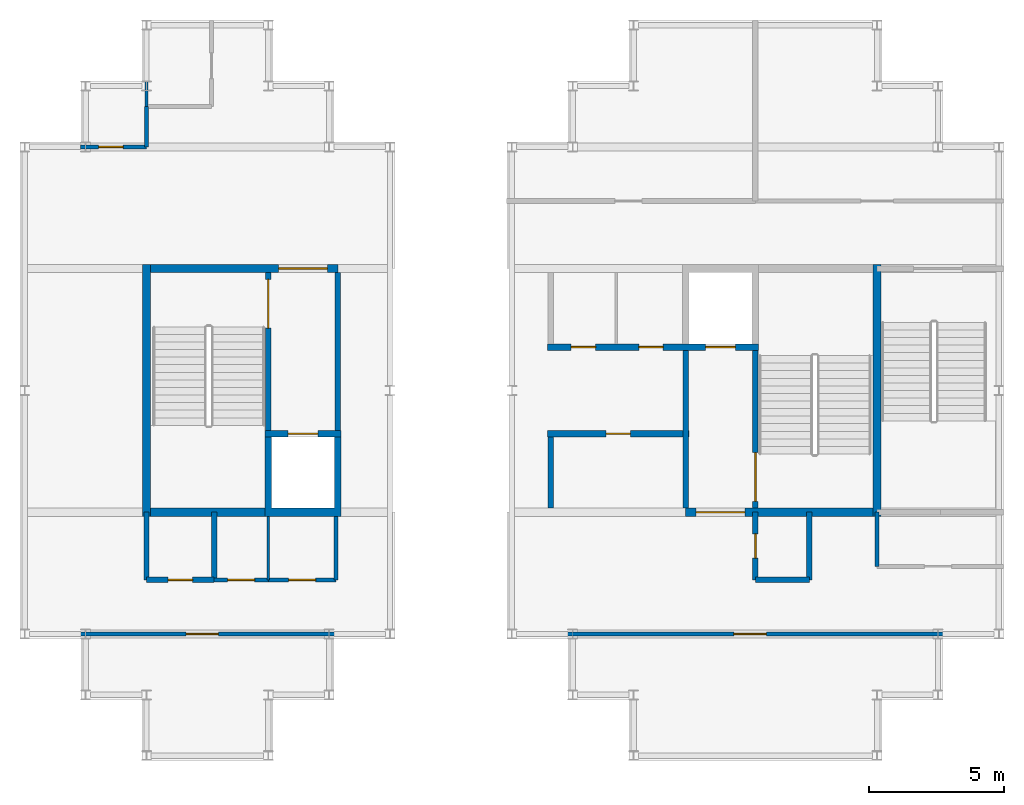
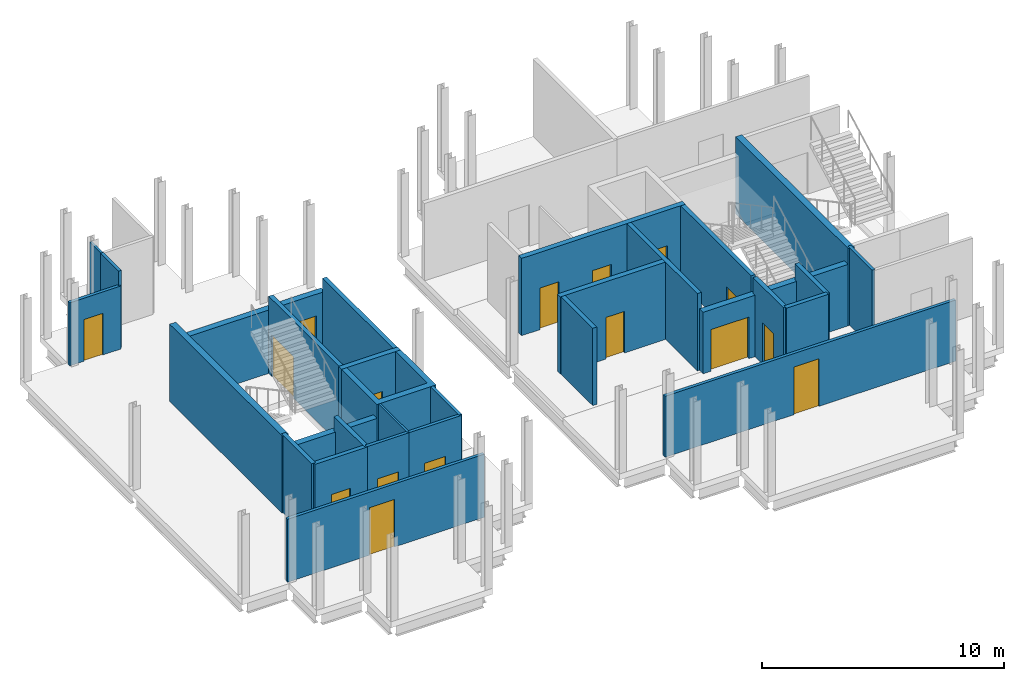
# One storey, part 2 of 7: 30 walls, 16 doors, 16 openings.
"""IFC4 building model written with IfcOpenShell, lengths in metres."""

from ifc_helpers import new_model, si_unit, direction, frame, frame_2d, origin, place, context, subcontext, project, spatial, polyline, rectangle, outline, extrude, material, layer, layer_set, type_object, element, fill, save


model = new_model("IFC4")

# Units and contexts
model_context = context("Model", 3, precision=1e-05, world=origin(), true_north=direction((0.0, 1.0)))
body_context = subcontext(model_context, "Body", "Model", "MODEL_VIEW")
ifc_project = project(units=[si_unit("LENGTHUNIT", "METRE"), si_unit("AREAUNIT", "SQUARE_METRE"), si_unit("VOLUMEUNIT", "CUBIC_METRE"), si_unit("PLANEANGLEUNIT", "RADIAN"), si_unit("MASSUNIT", "GRAM", prefix="KILO")], contexts=[model_context])

# Site, building, storey
site_placement = place(None, origin())
site = spatial("IfcSite", under=ifc_project, at=site_placement, CompositionType="ELEMENT")
building_placement = place(site_placement, origin())
building = spatial("IfcBuilding", under=site, at=building_placement, Name="Caravel Reach Hotel and Residences", CompositionType="ELEMENT")
storey_placement = place(building_placement, frame((0.0, 0.0, 317.0)))
storey = spatial("IfcBuildingStorey", under=building, at=storey_placement, Name="L80", CompositionType="ELEMENT", Elevation=317.0)

# Walls
ifc_material_1 = material(Name="Autoclaved aerated block wall")
ifc_layer_1 = layer(ifc_material_1, 0.199951171875)
ifc_layer_set_1 = layer_set([ifc_layer_1], Name="Compartment wall 200 mm EI 120")
wall_type_1 = type_object("IfcWallType", Name="Compartment wall 200 mm EI 120", PredefinedType="PARTITIONING", material=ifc_layer_set_1)
wall_1_placement = place(storey_placement, frame((32.935791015625, 22.64990234375, 0.0), z_axis=(0.0, 0.0, 1.0), x_axis=(0.0, 1.0, 0.0)))
element("IfcWall", 1, at=wall_1_placement, inside=storey, type_object=wall_type_1, Name="L80 store partition", PredefinedType="PARTITIONING", context=body_context, shape_type="SweptSolid", body=[
    extrude(rectangle(XDim=2.625, YDim=0.199951171875, at=frame_2d((1.3125, 0.0))), origin(), (0.0, 0.0, 1.0), 3.89990234375),
])
wall_2_placement = place(storey_placement, frame((40.5, 20.0, 0.0), z_axis=(0.0, 0.0, 1.0), x_axis=(1.0, 0.0, 0.0)))
element("IfcWall", 2, at=wall_2_placement, inside=storey, type_object=wall_type_1, Name="L80 wall w015", PredefinedType="PARTITIONING", context=body_context, shape_type="SweptSolid", body=[
    extrude(rectangle(XDim=2.0, YDim=0.199951171875, at=frame_2d((1.0, 0.0))), origin(), (0.0, 0.0, 1.0), 3.89990234375),
])

# Wall, opening, door
wall_3_placement = place(storey_placement, frame((18.0, 20.0, 0.0), z_axis=(0.0, 0.0, 1.0), x_axis=(1.0, 0.0, 0.0)))
wall_3 = element("IfcWall", 3, at=wall_3_placement, inside=storey, type_object=wall_type_1, Name="L80 wall w016", PredefinedType="PARTITIONING", context=body_context, shape_type="SweptSolid", body=[
    extrude(rectangle(XDim=2.5, YDim=0.199951171875, at=frame_2d((1.25, 0.0))), origin(), (0.0, 0.0, 1.0), 3.89990234375),
])
opening_1_placement = place(wall_3_placement, frame((0.800048828125, 0.0, 0.0)))
opening_1 = element("IfcOpeningElement", 4, at=opening_1_placement, cuts=wall_3, Name="Opening D80-012", PredefinedType="OPENING", context=body_context, shape_type="SweptSolid", body=[
    extrude(rectangle(XDim=0.89990234375, YDim=2.10009765625, at=frame_2d((0.449951171875, 1.050048828125))), frame((0.0, 0.10986328125, 0.0), z_axis=(0.0, -1.0, 0.0), x_axis=(1.0, 0.0, 0.0)), (0.0, 0.0, 1.0), 0.219970703125),
])
ifc_material_2 = material(Name="Steel fire door leaf", Category="steel")
door_type_1 = type_object("IfcDoorType", Name="Riser door 900 x 2100 EI 60", OperationType="SINGLE_SWING_LEFT", PredefinedType="DOOR", material=ifc_material_2)
door_1_placement = place(opening_1_placement, origin())
door_1 = element("IfcDoor", 5, at=door_1_placement, inside=storey, type_object=door_type_1, Name="door D80-012", OperationType="SINGLE_SWING_RIGHT", OverallHeight=2.10009765625, OverallWidth=0.89990234375, PredefinedType="DOOR", context=body_context, shape_type="SweptSolid", body=[
    extrude(rectangle(XDim=0.89990234375, YDim=2.10009765625, at=frame_2d((0.449951171875, 1.050048828125))), frame((0.0, 0.02490234375, 0.0), z_axis=(0.0, -1.0, 0.0), x_axis=(1.0, 0.0, 0.0)), (0.0, 0.0, 1.0), 0.050048828125),
])
fill(opening_1, door_1)

# Walls
for number, where, z_axis, x_axis, name in (
    (6, (18.0, 20.0, 0.0), (0.0, 0.0, 1.0), (0.0, 1.0, 0.0), "L80 wall w018"),
    (7, (20.5, 20.0, 0.0), (0.0, 0.0, 1.0), (0.0, 1.0, 0.0), "L80 wall w019"),
):
    element("IfcWall", number, at=place(storey_placement, frame(where, z_axis=z_axis, x_axis=x_axis)), inside=storey, type_object=wall_type_1, Name=name, PredefinedType="PARTITIONING", context=body_context, shape_type="SweptSolid", body=[
        extrude(rectangle(XDim=2.5, YDim=0.199951171875, at=frame_2d((1.25, 0.0))), origin(), (0.0, 0.0, 1.0), 3.89990234375),
    ])

# Wall, opening, door
wall_4_placement = place(storey_placement, frame((40.5, 20.0, 0.0), z_axis=(0.0, 0.0, 1.0), x_axis=(0.0, 1.0, 0.0)))
wall_4 = element("IfcWall", 8, at=wall_4_placement, inside=storey, type_object=wall_type_1, Name="L80 wall w020", PredefinedType="PARTITIONING", context=body_context, shape_type="SweptSolid", body=[
    extrude(rectangle(XDim=2.5, YDim=0.199951171875, at=frame_2d((1.25, 0.0))), origin(), (0.0, 0.0, 1.0), 3.89990234375),
])
opening_2_placement = place(wall_4_placement, frame((0.800048828125, 0.0, 0.0)))
opening_2 = element("IfcOpeningElement", 9, at=opening_2_placement, cuts=wall_4, Name="Opening D80-011", PredefinedType="OPENING", context=body_context, shape_type="SweptSolid", body=[
    extrude(rectangle(XDim=0.89990234375, YDim=2.10009765625, at=frame_2d((0.449951171875, 1.050048828125))), frame((0.0, 0.10986328125, 0.0), z_axis=(0.0, -1.0, 0.0), x_axis=(1.0, 0.0, 0.0)), (0.0, 0.0, 1.0), 0.219970703125),
])
door_2_placement = place(opening_2_placement, origin())
door_2 = element("IfcDoor", 10, at=door_2_placement, inside=storey, type_object=door_type_1, Name="door D80-011", OperationType="SINGLE_SWING_RIGHT", OverallHeight=2.10009765625, OverallWidth=0.89990234375, PredefinedType="DOOR", context=body_context, shape_type="SweptSolid", body=[
    extrude(rectangle(XDim=0.89990234375, YDim=2.10009765625, at=frame_2d((0.449951171875, 1.050048828125))), frame((0.0, 0.02490234375, 0.0), z_axis=(0.0, -1.0, 0.0), x_axis=(1.0, 0.0, 0.0)), (0.0, 0.0, 1.0), 0.050048828125),
])
fill(opening_2, door_2)

# Walls
wall_5_placement = place(storey_placement, frame((42.5, 20.0, 0.0), z_axis=(0.0, 0.0, 1.0), x_axis=(0.0, 1.0, 0.0)))
element("IfcWall", 11, at=wall_5_placement, inside=storey, type_object=wall_type_1, Name="L80 wall w022", PredefinedType="PARTITIONING", context=body_context, shape_type="SweptSolid", body=[
    extrude(rectangle(XDim=2.5, YDim=0.199951171875, at=frame_2d((1.25, 0.0))), origin(), (0.0, 0.0, 1.0), 3.89990234375),
])
ifc_material_3 = material(Name="Concrete C60", Category="concrete")
ifc_layer_2 = layer(ifc_material_3, 0.300048828125)
ifc_layer_set_2 = layer_set([ifc_layer_2], Name="Core wall 300 mm EI 120")
wall_type_2 = type_object("IfcWallType", Name="Core wall 300 mm EI 120", PredefinedType="SHEAR", material=ifc_layer_set_2)
wall_6_placement = place(storey_placement, frame((18.14990234375, 22.5, 0.0), z_axis=(0.0, 0.0, 1.0), x_axis=(1.0, 0.0, 0.0)))
element("IfcWall", 12, at=wall_6_placement, inside=storey, type_object=wall_type_2, Name="L80 core wall S1", PredefinedType="SHEAR", context=body_context, shape_type="SweptSolid", body=[
    extrude(rectangle(XDim=4.22509765625, YDim=0.300048828125, at=frame_2d((2.112548828125, 0.0))), origin(), (0.0, 0.0, 1.0), 3.199951171875),
])

# Wall, opening, door
wall_7_placement = place(storey_placement, frame((37.928466796875, 22.5, 0.0), z_axis=(0.0, 0.0, 1.0), x_axis=(1.0, 0.0, 0.0)))
wall_7 = element("IfcWall", 13, at=wall_7_placement, inside=storey, type_object=wall_type_2, Name="L80 core wall S2", PredefinedType="SHEAR", context=body_context, shape_type="SweptSolid", body=[
    extrude(rectangle(XDim=6.921630859375, YDim=0.300048828125, at=frame_2d((3.4609375, 0.0))), origin(), (0.0, 0.0, 1.0), 3.10009765625),
])
opening_3_placement = place(wall_7_placement, frame((0.3857421875, 0.0, 0.0)))
opening_3 = element("IfcOpeningElement", 14, at=opening_3_placement, cuts=wall_7, Name="Opening D80-009", PredefinedType="OPENING", context=body_context, shape_type="SweptSolid", body=[
    extrude(rectangle(XDim=1.800048828125, YDim=2.10009765625, at=frame_2d((0.89990234375, 1.050048828125))), frame((0.0, 0.159912109375, 0.0), z_axis=(0.0, -1.0, 0.0), x_axis=(1.0, 0.0, 0.0)), (0.0, 0.0, 1.0), 0.320068359375),
])
ifc_material_4 = material(Name="Steel fire door leaf", Category="steel")
door_type_2 = type_object("IfcDoorType", Name="Fire lobby door pair 1800 x 2100 EI 90", OperationType="DOUBLE_DOOR_SINGLE_SWING", PredefinedType="DOOR", material=ifc_material_4)
door_3_placement = place(opening_3_placement, origin())
door_3 = element("IfcDoor", 15, at=door_3_placement, inside=storey, type_object=door_type_2, Name="lobby S door pair to corridor", OperationType="DOUBLE_DOOR_SINGLE_SWING", OverallHeight=2.10009765625, OverallWidth=1.800048828125, PredefinedType="DOOR", context=body_context, shape_type="SweptSolid", body=[
    extrude(rectangle(XDim=1.800048828125, YDim=2.10009765625, at=frame_2d((0.89990234375, 1.050048828125))), frame((0.0, 0.02490234375, 0.0), z_axis=(0.0, -1.0, 0.0), x_axis=(1.0, 0.0, 0.0)), (0.0, 0.0, 1.0), 0.050048828125),
])
fill(opening_3, door_3)

wall_8_placement = place(storey_placement, frame((18.14990234375, 31.5, 0.0), z_axis=(0.0, 0.0, 1.0), x_axis=(1.0, 0.0, 0.0)))
wall_8 = element("IfcWall", 16, at=wall_8_placement, inside=storey, type_object=wall_type_2, Name="L80 core wall N1", PredefinedType="SHEAR", context=body_context, shape_type="SweptSolid", body=[
    extrude(rectangle(XDim=6.921630859375, YDim=0.300048828125, at=frame_2d((3.4609375, 0.0))), origin(), (0.0, 0.0, 1.0), 3.199951171875),
])
opening_4_placement = place(wall_8_placement, frame((4.735595703125, 0.0, 0.0)))
opening_4 = element("IfcOpeningElement", 17, at=opening_4_placement, cuts=wall_8, Name="Opening D80-008", PredefinedType="OPENING", context=body_context, shape_type="SweptSolid", body=[
    extrude(rectangle(XDim=1.800048828125, YDim=2.10009765625, at=frame_2d((0.89990234375, 1.050048828125))), frame((0.0, 0.159912109375, 0.0), z_axis=(0.0, -1.0, 0.0), x_axis=(1.0, 0.0, 0.0)), (0.0, 0.0, 1.0), 0.320068359375),
])
door_4_placement = place(opening_4_placement, origin())
door_4 = element("IfcDoor", 18, at=door_4_placement, inside=storey, type_object=door_type_2, Name="lobby N door pair to corridor", OperationType="DOUBLE_DOOR_SINGLE_SWING", OverallHeight=2.10009765625, OverallWidth=1.800048828125, PredefinedType="DOOR", context=body_context, shape_type="SweptSolid", body=[
    extrude(rectangle(XDim=1.800048828125, YDim=2.10009765625, at=frame_2d((0.89990234375, 1.050048828125))), frame((0.0, 0.02490234375, 0.0), z_axis=(0.0, -1.0, 0.0), x_axis=(1.0, 0.0, 0.0)), (0.0, 0.0, 1.0), 0.050048828125),
])
fill(opening_4, door_4)

# Walls
for number, where, z_axis, x_axis, name in (
    (19, (18.0, 22.35009765625, 0.0), (0.0, 0.0, 1.0), (0.0, 1.0, 0.0), "L80 core wall W"),
    (20, (45.0, 22.35009765625, 0.0), (0.0, 0.0, 1.0), (0.0, 1.0, 0.0), "L80 core wall E"),
):
    element("IfcWall", number, at=place(storey_placement, frame(where, z_axis=z_axis, x_axis=x_axis)), inside=storey, type_object=wall_type_2, Name=name, PredefinedType="SHEAR", context=body_context, shape_type="SweptSolid", body=[
        extrude(rectangle(XDim=9.2998046875, YDim=0.300048828125, at=frame_2d((4.64990234375, 0.0))), origin(), (0.0, 0.0, 1.0), 3.89990234375),
    ])

# Wall, opening, door
ifc_material_5 = material(Name="Gypsum board on steel stud, fire-rated", Category="steel")
ifc_layer_3 = layer(ifc_material_5, 0.14990234375)
ifc_layer_set_3 = layer_set([ifc_layer_3], Name="Corridor wall 150 mm EI 60")
wall_type_3 = type_object("IfcWallType", Name="Corridor wall 150 mm EI 60", PredefinedType="PARTITIONING", material=ifc_layer_set_3)
wall_9_placement = place(storey_placement, frame((33.56005859375, 18.0, 0.0), z_axis=(0.0, 0.0, 1.0), x_axis=(1.0, 0.0, 0.0)))
wall_9 = element("IfcWall", 21, at=wall_9_placement, inside=storey, type_object=wall_type_3, Name="L80 wall w001", PredefinedType="PARTITIONING", context=body_context, shape_type="SweptSolid", body=[
    extrude(rectangle(XDim=13.8798828125, YDim=0.14990234375, at=frame_2d((6.93994140625, 0.0))), origin(), (0.0, 0.0, 1.0), 3.080078125),
])
opening_5_placement = place(wall_9_placement, frame((6.14990234375, 0.0, 0.0)))
opening_5 = element("IfcOpeningElement", 22, at=opening_5_placement, cuts=wall_9, Name="Opening D80-015", PredefinedType="OPENING", context=body_context, shape_type="SweptSolid", body=[
    extrude(rectangle(XDim=1.199951171875, YDim=2.39990234375, at=frame_2d((0.60009765625, 1.199951171875))), frame((0.0, 0.0849609375, 0.0), z_axis=(0.0, -1.0, 0.0), x_axis=(1.0, 0.0, 0.0)), (0.0, 0.0, 1.0), 0.169921875),
])
ifc_material_6 = material(Name="Timber and steel door leaf", Category="steel")
door_type_3 = type_object("IfcDoorType", Name="Glazed door 1200 x 2400", OperationType="SINGLE_SWING_LEFT", PredefinedType="DOOR", material=ifc_material_6)
door_5_placement = place(opening_5_placement, origin())
door_5 = element("IfcDoor", 23, at=door_5_placement, inside=storey, type_object=door_type_3, Name="door D80-015", OperationType="SINGLE_SWING_RIGHT", OverallHeight=2.39990234375, OverallWidth=1.199951171875, PredefinedType="DOOR", context=body_context, shape_type="SweptSolid", body=[
    extrude(rectangle(XDim=1.199951171875, YDim=2.39990234375, at=frame_2d((0.60009765625, 1.199951171875))), frame((0.0, 0.02490234375, 0.0), z_axis=(0.0, -1.0, 0.0), x_axis=(1.0, 0.0, 0.0)), (0.0, 0.0, 1.0), 0.050048828125),
])
fill(opening_5, door_5)

wall_10_placement = place(storey_placement, frame((15.56005859375, 18.0, 0.0), z_axis=(0.0, 0.0, 1.0), x_axis=(1.0, 0.0, 0.0)))
wall_10 = element("IfcWall", 24, at=wall_10_placement, inside=storey, type_object=wall_type_3, Name="L80 wall w002", PredefinedType="PARTITIONING", context=body_context, shape_type="SweptSolid", body=[
    extrude(rectangle(XDim=9.3798828125, YDim=0.14990234375, at=frame_2d((4.68994140625, 0.0))), origin(), (0.0, 0.0, 1.0), 3.179931640625),
])
opening_6_placement = place(wall_10_placement, frame((3.89990234375, 0.0, 0.0)))
opening_6 = element("IfcOpeningElement", 25, at=opening_6_placement, cuts=wall_10, Name="Opening D80-018", PredefinedType="OPENING", context=body_context, shape_type="SweptSolid", body=[
    extrude(rectangle(XDim=1.199951171875, YDim=2.39990234375, at=frame_2d((0.60009765625, 1.199951171875))), frame((0.0, 0.0849609375, 0.0), z_axis=(0.0, -1.0, 0.0), x_axis=(1.0, 0.0, 0.0)), (0.0, 0.0, 1.0), 0.169921875),
])
door_6_placement = place(opening_6_placement, origin())
door_6 = element("IfcDoor", 26, at=door_6_placement, inside=storey, type_object=door_type_3, Name="door D80-018", OperationType="SINGLE_SWING_RIGHT", OverallHeight=2.39990234375, OverallWidth=1.199951171875, PredefinedType="DOOR", context=body_context, shape_type="SweptSolid", body=[
    extrude(rectangle(XDim=1.199951171875, YDim=2.39990234375, at=frame_2d((0.60009765625, 1.199951171875))), frame((0.0, 0.02490234375, 0.0), z_axis=(0.0, -1.0, 0.0), x_axis=(1.0, 0.0, 0.0)), (0.0, 0.0, 1.0), 0.050048828125),
])
fill(opening_6, door_6)

wall_11_placement = place(storey_placement, frame((20.5, 20.0, 0.0), z_axis=(0.0, 0.0, 1.0), x_axis=(1.0, 0.0, 0.0)))
wall_11 = element("IfcWall", 27, at=wall_11_placement, inside=storey, type_object=wall_type_3, Name="L80 wall w003", PredefinedType="PARTITIONING", context=body_context, shape_type="SweptSolid", body=[
    extrude(rectangle(XDim=2.0, YDim=0.14990234375, at=frame_2d((1.0, 0.0))), origin(), (0.0, 0.0, 1.0), 3.89990234375),
])
opening_7_placement = place(wall_11_placement, frame((0.5, 0.0, 0.0)))
opening_7 = element("IfcOpeningElement", 28, at=opening_7_placement, cuts=wall_11, Name="Opening D80-013", PredefinedType="OPENING", context=body_context, shape_type="SweptSolid", body=[
    extrude(rectangle(XDim=1.0, YDim=2.10009765625, at=frame_2d((0.5, 1.050048828125))), frame((0.0, 0.0849609375, 0.0), z_axis=(0.0, -1.0, 0.0), x_axis=(1.0, 0.0, 0.0)), (0.0, 0.0, 1.0), 0.169921875),
])
ifc_material_7 = material(Name="Steel fire door leaf", Category="steel")
door_type_4 = type_object("IfcDoorType", Name="Fire door 1000 x 2100 EI 60", OperationType="SINGLE_SWING_LEFT", PredefinedType="DOOR", material=ifc_material_7)
door_7_placement = place(opening_7_placement, origin())
door_7 = element("IfcDoor", 29, at=door_7_placement, inside=storey, type_object=door_type_4, Name="door D80-013", OperationType="SINGLE_SWING_LEFT", OverallHeight=2.10009765625, OverallWidth=1.0, PredefinedType="DOOR", context=body_context, shape_type="SweptSolid", body=[
    extrude(rectangle(XDim=1.0, YDim=2.10009765625, at=frame_2d((0.5, 1.050048828125))), frame((0.0, 0.02490234375, 0.0), z_axis=(0.0, -1.0, 0.0), x_axis=(1.0, 0.0, 0.0)), (0.0, 0.0, 1.0), 0.050048828125),
])
fill(opening_7, door_7)

wall_12_placement = place(storey_placement, frame((22.5, 20.0, 0.0), z_axis=(0.0, 0.0, 1.0), x_axis=(1.0, 0.0, 0.0)))
wall_12 = element("IfcWall", 30, at=wall_12_placement, inside=storey, type_object=wall_type_3, Name="L80 wall w004", PredefinedType="PARTITIONING", context=body_context, shape_type="SweptSolid", body=[
    extrude(rectangle(XDim=2.5, YDim=0.14990234375, at=frame_2d((1.25, 0.0))), origin(), (0.0, 0.0, 1.0), 3.89990234375),
])
opening_8_placement = place(wall_12_placement, frame((0.75, 0.0, 0.0)))
opening_8 = element("IfcOpeningElement", 31, at=opening_8_placement, cuts=wall_12, Name="Opening D80-014", PredefinedType="OPENING", context=body_context, shape_type="SweptSolid", body=[
    extrude(rectangle(XDim=1.0, YDim=2.10009765625, at=frame_2d((0.5, 1.050048828125))), frame((0.0, 0.0849609375, 0.0), z_axis=(0.0, -1.0, 0.0), x_axis=(1.0, 0.0, 0.0)), (0.0, 0.0, 1.0), 0.169921875),
])
door_8_placement = place(opening_8_placement, origin())
door_8 = element("IfcDoor", 32, at=door_8_placement, inside=storey, type_object=door_type_4, Name="door D80-014", OperationType="SINGLE_SWING_RIGHT", OverallHeight=2.10009765625, OverallWidth=1.0, PredefinedType="DOOR", context=body_context, shape_type="SweptSolid", body=[
    extrude(rectangle(XDim=1.0, YDim=2.10009765625, at=frame_2d((0.5, 1.050048828125))), frame((0.0, 0.02490234375, 0.0), z_axis=(0.0, -1.0, 0.0), x_axis=(1.0, 0.0, 0.0)), (0.0, 0.0, 1.0), 0.050048828125),
])
fill(opening_8, door_8)

wall_13_placement = place(storey_placement, frame((15.56005859375, 36.0, 0.0), z_axis=(0.0, 0.0, 1.0), x_axis=(1.0, 0.0, 0.0)))
wall_13 = element("IfcWall", 33, at=wall_13_placement, inside=storey, type_object=wall_type_3, Name="L80 wall w007", PredefinedType="PARTITIONING", context=body_context, shape_type="SweptSolid", body=[
    extrude(rectangle(XDim=2.43994140625, YDim=0.14990234375, at=frame_2d((1.219970703125, 0.0))), origin(), (0.0, 0.0, 1.0), 3.179931640625),
])
opening_9_placement = place(wall_13_placement, frame((0.675048828125, 0.0, 0.0)))
opening_9 = element("IfcOpeningElement", 34, at=opening_9_placement, cuts=wall_13, Name="Opening D80-019", PredefinedType="OPENING", context=body_context, shape_type="SweptSolid", body=[
    extrude(rectangle(XDim=0.89990234375, YDim=2.10009765625, at=frame_2d((0.449951171875, 1.050048828125))), frame((0.0, 0.0849609375, 0.0), z_axis=(0.0, -1.0, 0.0), x_axis=(1.0, 0.0, 0.0)), (0.0, 0.0, 1.0), 0.169921875),
])
ifc_material_8 = material(Name="Timber and steel door leaf", Category="steel")
door_type_5 = type_object("IfcDoorType", Name="Door 900 x 2100 timber", OperationType="SINGLE_SWING_LEFT", PredefinedType="DOOR", material=ifc_material_8)
door_9_placement = place(opening_9_placement, origin())
door_9 = element("IfcDoor", 35, at=door_9_placement, inside=storey, type_object=door_type_5, Name="door D80-019", OperationType="SINGLE_SWING_RIGHT", OverallHeight=2.10009765625, OverallWidth=0.89990234375, PredefinedType="DOOR", context=body_context, shape_type="SweptSolid", body=[
    extrude(rectangle(XDim=0.89990234375, YDim=2.10009765625, at=frame_2d((0.449951171875, 1.050048828125))), frame((0.0, 0.02490234375, 0.0), z_axis=(0.0, -1.0, 0.0), x_axis=(1.0, 0.0, 0.0)), (0.0, 0.0, 1.0), 0.050048828125),
])
fill(opening_9, door_9)

# Walls
wall_14_placement = place(storey_placement, frame((18.0, 36.0, 0.0), z_axis=(0.0, 0.0, 1.0), x_axis=(0.0, 1.0, 0.0)))
element("IfcWall", 36, at=wall_14_placement, inside=storey, type_object=wall_type_3, Name="L80 wall w009", PredefinedType="PARTITIONING", context=body_context, shape_type="SweptSolid", body=[
    extrude(rectangle(XDim=1.5, YDim=0.14990234375, at=frame_2d((0.75, 0.0))), origin(), (0.0, 0.0, 1.0), 3.89990234375),
])
wall_15_placement = place(storey_placement, frame((25.0, 20.0, 0.0), z_axis=(0.0, 0.0, 1.0), x_axis=(0.0, 1.0, 0.0)))
element("IfcWall", 37, at=wall_15_placement, inside=storey, type_object=wall_type_3, Name="L80 wall w011", PredefinedType="PARTITIONING", context=body_context, shape_type="SweptSolid", body=[
    extrude(rectangle(XDim=2.35009765625, YDim=0.14990234375, at=frame_2d((1.175048828125, 0.0))), origin(), (0.0, 0.0, 1.0), 3.89990234375),
])
wall_16_placement = place(storey_placement, frame((45.0, 20.5, 0.0), z_axis=(0.0, 0.0, 1.0), x_axis=(0.0, 1.0, 0.0)))
element("IfcWall", 38, at=wall_16_placement, inside=storey, type_object=wall_type_3, Name="L80 wall w012", PredefinedType="PARTITIONING", context=body_context, shape_type="SweptSolid", body=[
    extrude(rectangle(XDim=2.0, YDim=0.14990234375, at=frame_2d((1.0, 0.0))), origin(), (0.0, 0.0, 1.0), 3.89990234375),
])
ifc_material_9 = material(Name="Autoclaved aerated block wall")
ifc_layer_4 = layer(ifc_material_9, 0.199951171875)
ifc_layer_set_4 = layer_set([ifc_layer_4], Name="Fire lobby wall 200 mm EI 120")
wall_type_4 = type_object("IfcWallType", Name="Fire lobby wall 200 mm EI 120", PredefinedType="PARTITIONING", material=ifc_layer_set_4)
for number, where, z_axis, x_axis, name in (
    (39, (25.071533203125, 25.52490234375, 0.0), (0.0, 0.0, 1.0), (0.0, 1.0, 0.0), "L80 lobby W closing wall"),
    (40, (37.928466796875, 22.64990234375, 0.0), (0.0, 0.0, 1.0), (0.0, 1.0, 0.0), "L80 lobby E closing wall"),
):
    element("IfcWall", number, at=place(storey_placement, frame(where, z_axis=z_axis, x_axis=x_axis)), inside=storey, type_object=wall_type_4, Name=name, PredefinedType="PARTITIONING", context=body_context, shape_type="SweptSolid", body=[
        extrude(rectangle(XDim=5.8251953125, YDim=0.199951171875, at=frame_2d((2.91259765625, 0.0))), origin(), (0.0, 0.0, 1.0), 3.89990234375),
    ])
ifc_material_10 = material(Name="Gypsum board on steel stud", Category="steel")
ifc_layer_5 = layer(ifc_material_10, 0.10009765625)
ifc_layer_set_5 = layer_set([ifc_layer_5], Name="Partition 100 mm")
wall_type_5 = type_object("IfcWallType", Name="Partition 100 mm", PredefinedType="PARTITIONING", material=ifc_layer_set_5)
wall_17_placement = place(storey_placement, frame((18.0, 37.5, 0.0), z_axis=(0.0, 0.0, 1.0), x_axis=(0.0, 1.0, 0.0)))
element("IfcWall", 41, at=wall_17_placement, inside=storey, type_object=wall_type_5, Name="L80 wall w013", PredefinedType="PARTITIONING", context=body_context, shape_type="SweptSolid", body=[
    extrude(rectangle(XDim=0.93994140625, YDim=0.10009765625, at=frame_2d((0.469970703125, 0.0))), origin(), (0.0, 0.0, 1.0), 3.89990234375),
])
wall_18_placement = place(storey_placement, frame((22.5, 20.0, 0.0), z_axis=(0.0, 0.0, 1.0), x_axis=(0.0, 1.0, 0.0)))
element("IfcWall", 42, at=wall_18_placement, inside=storey, type_object=wall_type_5, Name="L80 wall w014", PredefinedType="PARTITIONING", context=body_context, shape_type="SweptSolid", body=[
    extrude(rectangle(XDim=2.35009765625, YDim=0.10009765625, at=frame_2d((1.175048828125, 0.0))), origin(), (0.0, 0.0, 1.0), 3.89990234375),
])
ifc_material_11 = material(Name="Concrete C60", Category="concrete")
ifc_layer_6 = layer(ifc_material_11, 0.25)
ifc_layer_set_6 = layer_set([ifc_layer_6], Name="Shaft wall 250 mm EI 120")
wall_type_6 = type_object("IfcWallType", Name="Shaft wall 250 mm EI 120", PredefinedType="SHEAR", material=ifc_layer_set_6)
wall_19_placement = place(storey_placement, origin())
element("IfcWall", 43, at=wall_19_placement, inside=storey, type_object=wall_type_6, Name="L80 lift shaft wall S1", PredefinedType="SHEAR", context=body_context, shape_type="SweptSolid", body=[
    extrude(outline(polyline([(22.375, 22.35009765625), (25.196533203125, 22.35009765625), (25.196533203125, 25.27490234375), (24.946533203125, 25.27490234375), (24.946533203125, 22.64990234375), (22.625, 22.64990234375), (22.625, 25.27490234375), (22.375, 25.27490234375), (22.375, 22.35009765625)])), origin(), (0.0, 0.0, 1.0), 3.89990234375),
])

# Wall, opening, door
wall_20_placement = place(storey_placement, frame((22.375, 25.39990234375, 0.0), z_axis=(0.0, 0.0, 1.0), x_axis=(1.0, 0.0, 0.0)))
wall_20 = element("IfcWall", 44, at=wall_20_placement, inside=storey, type_object=wall_type_6, Name="L80 lobby wall S1", PredefinedType="SHEAR", context=body_context, shape_type="SweptSolid", body=[
    extrude(rectangle(XDim=2.821533203125, YDim=0.25, at=frame_2d((1.41064453125, 0.0))), origin(), (0.0, 0.0, 1.0), 3.89990234375),
])
opening_10_placement = place(wall_20_placement, frame((0.860595703125, 0.0, 0.0)))
opening_10 = element("IfcOpeningElement", 45, at=opening_10_placement, cuts=wall_20, Name="Opening D80-001", PredefinedType="OPENING", context=body_context, shape_type="SweptSolid", body=[
    extrude(rectangle(XDim=1.10009765625, YDim=2.10009765625, at=frame_2d((0.550048828125, 1.050048828125))), frame((0.0, 0.135009765625, 0.0), z_axis=(0.0, -1.0, 0.0), x_axis=(1.0, 0.0, 0.0)), (0.0, 0.0, 1.0), 0.27001953125),
])
ifc_material_12 = material(Name="Stainless steel landing door", Category="steel")
door_type_6 = type_object("IfcDoorType", Name="Landing door LD 1100 x 2100 sliding", OperationType="DOUBLE_DOOR_SLIDING", PredefinedType="DOOR", material=ifc_material_12)
door_10_placement = place(opening_10_placement, origin())
door_10 = element("IfcDoor", 46, at=door_10_placement, inside=storey, type_object=door_type_6, Name="FL1 landing door", OperationType="DOUBLE_DOOR_SLIDING", OverallHeight=2.10009765625, OverallWidth=1.10009765625, PredefinedType="DOOR", context=body_context, shape_type="SweptSolid", body=[
    extrude(rectangle(XDim=1.10009765625, YDim=2.10009765625, at=frame_2d((0.550048828125, 1.050048828125))), frame((0.0, 0.02490234375, 0.0), z_axis=(0.0, -1.0, 0.0), x_axis=(1.0, 0.0, 0.0)), (0.0, 0.0, 1.0), 0.050048828125),
])
fill(opening_10, door_10)

wall_21_placement = place(storey_placement, frame((32.810791015625, 25.39990234375, 0.0), z_axis=(0.0, 0.0, 1.0), x_axis=(1.0, 0.0, 0.0)))
wall_21 = element("IfcWall", 47, at=wall_21_placement, inside=storey, type_object=wall_type_6, Name="L80 lobby wall S2", PredefinedType="SHEAR", context=body_context, shape_type="SweptSolid", body=[
    extrude(rectangle(XDim=5.24267578125, YDim=0.25, at=frame_2d((2.621337890625, 0.0))), origin(), (0.0, 0.0, 1.0), 3.89990234375),
])
opening_11_placement = place(wall_21_placement, frame((2.17138671875, 0.0, 0.0)))
opening_11 = element("IfcOpeningElement", 48, at=opening_11_placement, cuts=wall_21, Name="Opening D80-003", PredefinedType="OPENING", context=body_context, shape_type="SweptSolid", body=[
    extrude(rectangle(XDim=0.89990234375, YDim=2.10009765625, at=frame_2d((0.449951171875, 1.050048828125))), frame((0.0, 0.135009765625, 0.0), z_axis=(0.0, -1.0, 0.0), x_axis=(1.0, 0.0, 0.0)), (0.0, 0.0, 1.0), 0.27001953125),
])
door_11_placement = place(opening_11_placement, origin())
door_11 = element("IfcDoor", 49, at=door_11_placement, inside=storey, type_object=door_type_1, Name="Refuse store door", OperationType="SINGLE_SWING_LEFT", OverallHeight=2.10009765625, OverallWidth=0.89990234375, PredefinedType="DOOR", context=body_context, shape_type="SweptSolid", body=[
    extrude(rectangle(XDim=0.89990234375, YDim=2.10009765625, at=frame_2d((0.449951171875, 1.050048828125))), frame((0.0, 0.02490234375, 0.0), z_axis=(0.0, -1.0, 0.0), x_axis=(1.0, 0.0, 0.0)), (0.0, 0.0, 1.0), 0.050048828125),
])
fill(opening_11, door_11)

# Wall, openings, doors
wall_22_placement = place(storey_placement, frame((32.810791015625, 28.60009765625, 0.0), z_axis=(0.0, 0.0, 1.0), x_axis=(1.0, 0.0, 0.0)))
wall_22 = element("IfcWall", 50, at=wall_22_placement, inside=storey, type_object=wall_type_6, Name="L80 lobby wall N1", PredefinedType="SHEAR", context=body_context, shape_type="SweptSolid", body=[
    extrude(rectangle(XDim=7.814208984375, YDim=0.25, at=frame_2d((3.9072265625, 0.0))), origin(), (0.0, 0.0, 1.0), 3.89990234375),
])
opening_12_placement = place(wall_22_placement, frame((5.853515625, 0.0, 0.0)))
opening_12 = element("IfcOpeningElement", 51, at=opening_12_placement, cuts=wall_22, Name="Opening D80-002", PredefinedType="OPENING", context=body_context, shape_type="SweptSolid", body=[
    extrude(rectangle(XDim=1.10009765625, YDim=2.10009765625, at=frame_2d((0.550048828125, 1.050048828125))), frame((0.0, 0.135009765625, 0.0), z_axis=(0.0, -1.0, 0.0), x_axis=(1.0, 0.0, 0.0)), (0.0, 0.0, 1.0), 0.27001953125),
])
opening_13_placement = place(wall_22_placement, frame((0.8857421875, 0.0, 0.0)))
opening_13 = element("IfcOpeningElement", 52, at=opening_13_placement, cuts=wall_22, Name="Opening D80-004", PredefinedType="OPENING", context=body_context, shape_type="SweptSolid", body=[
    extrude(rectangle(XDim=0.89990234375, YDim=2.10009765625, at=frame_2d((0.449951171875, 1.050048828125))), frame((0.0, 0.135009765625, 0.0), z_axis=(0.0, -1.0, 0.0), x_axis=(1.0, 0.0, 0.0)), (0.0, 0.0, 1.0), 0.27001953125),
])
opening_14_placement = place(wall_22_placement, frame((3.382080078125, 0.0, 0.0)))
opening_14 = element("IfcOpeningElement", 53, at=opening_14_placement, cuts=wall_22, Name="Opening D80-005", PredefinedType="OPENING", context=body_context, shape_type="SweptSolid", body=[
    extrude(rectangle(XDim=0.89990234375, YDim=2.10009765625, at=frame_2d((0.449951171875, 1.050048828125))), frame((0.0, 0.135009765625, 0.0), z_axis=(0.0, -1.0, 0.0), x_axis=(1.0, 0.0, 0.0)), (0.0, 0.0, 1.0), 0.27001953125),
])
door_12_placement = place(opening_12_placement, origin())
door_12 = element("IfcDoor", 54, at=door_12_placement, inside=storey, type_object=door_type_6, Name="FL2 landing door", OperationType="DOUBLE_DOOR_SLIDING", OverallHeight=2.10009765625, OverallWidth=1.10009765625, PredefinedType="DOOR", context=body_context, shape_type="SweptSolid", body=[
    extrude(rectangle(XDim=1.10009765625, YDim=2.10009765625, at=frame_2d((0.550048828125, 1.050048828125))), frame((0.0, 0.02490234375, 0.0), z_axis=(0.0, -1.0, 0.0), x_axis=(1.0, 0.0, 0.0)), (0.0, 0.0, 1.0), 0.050048828125),
])
fill(opening_12, door_12)
door_13_placement = place(opening_13_placement, origin())
door_13 = element("IfcDoor", 55, at=door_13_placement, inside=storey, type_object=door_type_1, Name="Telecom room door", OperationType="SINGLE_SWING_LEFT", OverallHeight=2.10009765625, OverallWidth=0.89990234375, PredefinedType="DOOR", context=body_context, shape_type="SweptSolid", body=[
    extrude(rectangle(XDim=0.89990234375, YDim=2.10009765625, at=frame_2d((0.449951171875, 1.050048828125))), frame((0.0, 0.02490234375, 0.0), z_axis=(0.0, -1.0, 0.0), x_axis=(1.0, 0.0, 0.0)), (0.0, 0.0, 1.0), 0.050048828125),
])
fill(opening_13, door_13)
door_14_placement = place(opening_14_placement, origin())
door_14 = element("IfcDoor", 56, at=door_14_placement, inside=storey, type_object=door_type_1, Name="Recycling store door", OperationType="SINGLE_SWING_LEFT", OverallHeight=2.10009765625, OverallWidth=0.89990234375, PredefinedType="DOOR", context=body_context, shape_type="SweptSolid", body=[
    extrude(rectangle(XDim=0.89990234375, YDim=2.10009765625, at=frame_2d((0.449951171875, 1.050048828125))), frame((0.0, 0.02490234375, 0.0), z_axis=(0.0, -1.0, 0.0), x_axis=(1.0, 0.0, 0.0)), (0.0, 0.0, 1.0), 0.050048828125),
])
fill(opening_14, door_14)

# Wall, opening, door
ifc_material_13 = material(Name="Concrete C60", Category="concrete")
ifc_layer_7 = layer(ifc_material_13, 0.199951171875)
ifc_layer_set_7 = layer_set([ifc_layer_7], Name="Stair enclosure wall 200 mm EI 120")
wall_type_7 = type_object("IfcWallType", Name="Stair enclosure wall 200 mm EI 120", PredefinedType="SHEAR", material=ifc_layer_set_7)
wall_23_placement = place(storey_placement, frame((22.5, 31.35009765625, 0.0), z_axis=(0.0, 0.0, 1.0), x_axis=(0.0, -1.0, 0.0)))
wall_23 = element("IfcWall", 57, at=wall_23_placement, inside=storey, type_object=wall_type_7, Name="L80 stair A wall", PredefinedType="SHEAR", context=body_context, shape_type="SweptSolid", body=[
    extrude(rectangle(XDim=5.8251953125, YDim=0.199951171875, at=frame_2d((2.91259765625, 0.0))), origin(), (0.0, 0.0, 1.0), 3.89990234375),
])
opening_15_placement = place(wall_23_placement, frame((0.25, 0.0, 0.0)))
opening_15 = element("IfcOpeningElement", 58, at=opening_15_placement, cuts=wall_23, Name="Opening D80-006", PredefinedType="OPENING", context=body_context, shape_type="SweptSolid", body=[
    extrude(rectangle(XDim=1.800048828125, YDim=2.10009765625, at=frame_2d((0.89990234375, 1.050048828125))), frame((0.0, 0.10986328125, 0.0), z_axis=(0.0, -1.0, 0.0), x_axis=(1.0, 0.0, 0.0)), (0.0, 0.0, 1.0), 0.219970703125),
])
ifc_material_14 = material(Name="Steel fire door leaf", Category="steel")
door_type_7 = type_object("IfcDoorType", Name="Stair door pair 1800 x 2100 EI 90", OperationType="DOUBLE_DOOR_SINGLE_SWING", PredefinedType="DOOR", material=ifc_material_14)
door_15_placement = place(opening_15_placement, origin())
door_15 = element("IfcDoor", 59, at=door_15_placement, inside=storey, type_object=door_type_7, Name="stair A door pair", OperationType="DOUBLE_DOOR_SINGLE_SWING", OverallHeight=2.10009765625, OverallWidth=1.800048828125, PredefinedType="DOOR", context=body_context, shape_type="SweptSolid", body=[
    extrude(rectangle(XDim=1.800048828125, YDim=2.10009765625, at=frame_2d((0.89990234375, 1.050048828125))), frame((0.0, 0.02490234375, 0.0), z_axis=(0.0, -1.0, 0.0), x_axis=(1.0, 0.0, 0.0)), (0.0, 0.0, 1.0), 0.050048828125),
])
fill(opening_15, door_15)

wall_24_placement = place(storey_placement, frame((40.5, 22.64990234375, 0.0), z_axis=(0.0, 0.0, 1.0), x_axis=(0.0, 1.0, 0.0)))
wall_24 = element("IfcWall", 60, at=wall_24_placement, inside=storey, type_object=wall_type_7, Name="L80 stair B wall", PredefinedType="SHEAR", context=body_context, shape_type="SweptSolid", body=[
    extrude(rectangle(XDim=5.8251953125, YDim=0.199951171875, at=frame_2d((2.91259765625, 0.0))), origin(), (0.0, 0.0, 1.0), 3.89990234375),
])
opening_16_placement = place(wall_24_placement, frame((0.25, 0.0, 0.0)))
opening_16 = element("IfcOpeningElement", 61, at=opening_16_placement, cuts=wall_24, Name="Opening D80-007", PredefinedType="OPENING", context=body_context, shape_type="SweptSolid", body=[
    extrude(rectangle(XDim=1.800048828125, YDim=2.10009765625, at=frame_2d((0.89990234375, 1.050048828125))), frame((0.0, 0.10986328125, 0.0), z_axis=(0.0, -1.0, 0.0), x_axis=(1.0, 0.0, 0.0)), (0.0, 0.0, 1.0), 0.219970703125),
])
door_16_placement = place(opening_16_placement, origin())
door_16 = element("IfcDoor", 62, at=door_16_placement, inside=storey, type_object=door_type_7, Name="stair B door pair", OperationType="DOUBLE_DOOR_SINGLE_SWING", OverallHeight=2.10009765625, OverallWidth=1.800048828125, PredefinedType="DOOR", context=body_context, shape_type="SweptSolid", body=[
    extrude(rectangle(XDim=1.800048828125, YDim=2.10009765625, at=frame_2d((0.89990234375, 1.050048828125))), frame((0.0, 0.02490234375, 0.0), z_axis=(0.0, -1.0, 0.0), x_axis=(1.0, 0.0, 0.0)), (0.0, 0.0, 1.0), 0.050048828125),
])
fill(opening_16, door_16)

save(model, "model.ifc")
